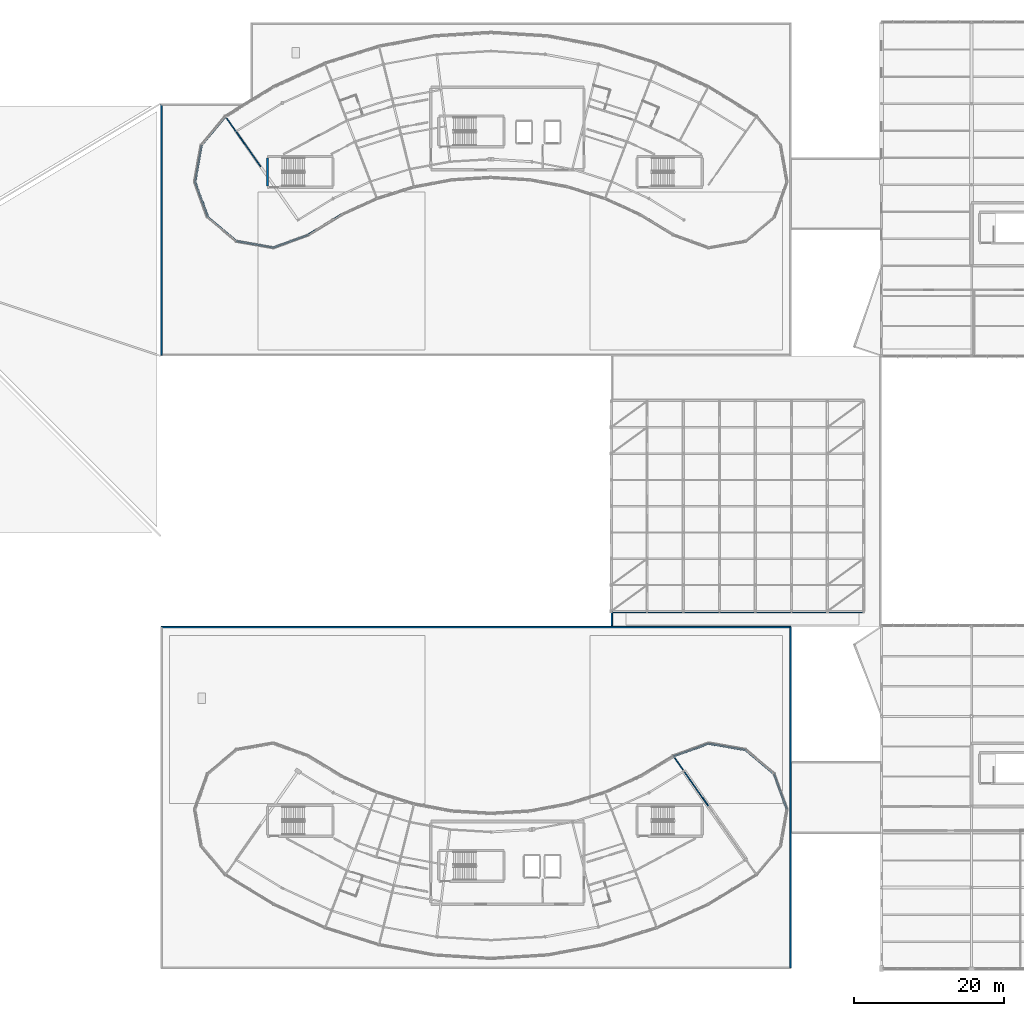
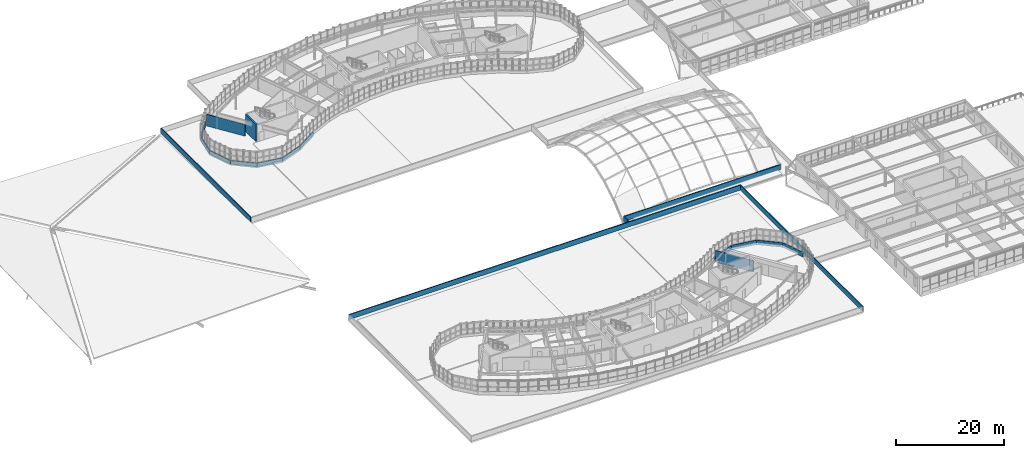
# One storey, part 104 of 128: 19 walls.
"""IFC4 building model written with IfcOpenShell, lengths in metres."""

from ifc_helpers import new_model, si_unit, direction, frame, frame_2d, origin, place, context, subcontext, project, spatial, rectangle, extrude, material, layer, layer_set, type_object, element, save


model = new_model("IFC4")

# Units and contexts
model_context = context("Model", 3, precision=1e-05, world=origin(), true_north=direction((0.0, 1.0)))
body_context = subcontext(model_context, "Body", "Model", "MODEL_VIEW")
ifc_project = project(units=[si_unit("LENGTHUNIT", "METRE"), si_unit("AREAUNIT", "SQUARE_METRE"), si_unit("VOLUMEUNIT", "CUBIC_METRE"), si_unit("PLANEANGLEUNIT", "RADIAN"), si_unit("MASSUNIT", "GRAM", prefix="KILO")], contexts=[model_context])

# Site, building, storey
site_placement = place(None, origin())
site = spatial("IfcSite", under=ifc_project, at=site_placement, CompositionType="ELEMENT")
building_placement = place(site_placement, origin())
building = spatial("IfcBuilding", under=site, at=building_placement, Name="Tarnwether General Hospital", CompositionType="ELEMENT")
storey_placement = place(building_placement, frame((0.0, 0.0, 14.39990234375)))
storey = spatial("IfcBuildingStorey", under=building, at=storey_placement, Name="L03", CompositionType="ELEMENT", Elevation=14.39990234375)

# Walls
ifc_material_1 = material(Name="Streamlined white enamelled aluminium", Category="aluminium")
ifc_layer_1 = layer(ifc_material_1, 0.219970703125)
ifc_layer_set_1 = layer_set([ifc_layer_1], Name="Streamlined white enamelled aluminium")
wall_type_1 = type_object("IfcWallType", Name="WL-EX220", PredefinedType="STANDARD", material=ifc_layer_set_1)
wall_1_placement = place(storey_placement, frame((52.611083984375, 104.759033203125, 0.0), z_axis=(0.0, 0.0, 1.0), x_axis=(0.173426579259, 0.984846801085, 0.0)))
element("IfcWall", 1, at=wall_1_placement, inside=storey, type_object=wall_type_1, Name="Ward NW Streamlined White Spandrel EW-L03-0001", PredefinedType="STANDARD", context=body_context, shape_type="SweptSolid", body=[
    extrude(rectangle(XDim=4.96923828125, YDim=0.219970703125, at=frame_2d((2.484619140625, 0.0))), origin(), (0.0, 0.0, 1.0), 1.050048828125),
])
wall_2_placement = place(storey_placement, frame((54.31005859375, 100.090087890625, 0.0), z_axis=(0.0, 0.0, 1.0), x_axis=(-0.341952160632, 0.939717361678, 0.0)))
element("IfcWall", 2, at=wall_2_placement, inside=storey, type_object=wall_type_1, Name="Ward NW Streamlined White Spandrel EW-L03-0002", PredefinedType="STANDARD", context=body_context, shape_type="SweptSolid", body=[
    extrude(rectangle(XDim=4.968505859375, YDim=0.219970703125, at=frame_2d((2.484375, 0.0))), origin(), (0.0, 0.0, 1.0), 1.050048828125),
])
wall_3_placement = place(storey_placement, frame((58.116943359375, 96.89501953125, 0.0), z_axis=(0.0, 0.0, 1.0), x_axis=(-0.765973821879, 0.642871763415, 0.0)))
element("IfcWall", 3, at=wall_3_placement, inside=storey, type_object=wall_type_1, Name="Ward NW Streamlined White Spandrel EW-L03-0003", PredefinedType="STANDARD", context=body_context, shape_type="SweptSolid", body=[
    extrude(rectangle(XDim=4.969970703125, YDim=0.219970703125, at=frame_2d((2.48486328125, 0.0))), origin(), (0.0, 0.0, 1.0), 1.050048828125),
])
wall_4_placement = place(storey_placement, frame((63.010986328125, 96.031982421875, 0.0), z_axis=(0.0, 0.0, 1.0), x_axis=(-0.984804817938, 0.173664822479, 0.0)))
element("IfcWall", 4, at=wall_4_placement, inside=storey, type_object=wall_type_1, Name="Ward NW Streamlined White Spandrel EW-L03-0004", PredefinedType="STANDARD", context=body_context, shape_type="SweptSolid", body=[
    extrude(rectangle(XDim=4.969482421875, YDim=0.219970703125, at=frame_2d((2.48486328125, 0.0))), origin(), (0.0, 0.0, 1.0), 1.050048828125),
])
wall_5_placement = place(storey_placement, frame((67.679931640625, 97.73193359375, 0.0), z_axis=(0.0, 0.0, 1.0), x_axis=(-0.939654190044, -0.34212571247, 0.0)))
element("IfcWall", 5, at=wall_5_placement, inside=storey, type_object=wall_type_1, Name="Ward NW Streamlined White Spandrel EW-L03-0005", PredefinedType="STANDARD", context=body_context, shape_type="SweptSolid", body=[
    extrude(rectangle(XDim=4.96875, YDim=0.219970703125, at=frame_2d((2.484375, 0.0))), origin(), (0.0, 0.0, 1.0), 1.050048828125),
])
wall_6_placement = place(storey_placement, frame((72.093994140625, 100.43701171875, 0.0), z_axis=(0.0, 0.0, 1.0), x_axis=(-0.852628362135, -0.522517823698, 0.0)))
element("IfcWall", 6, at=wall_6_placement, inside=storey, type_object=wall_type_1, Name="Ward NW Streamlined White Spandrel EW-L03-0006", PredefinedType="STANDARD", context=body_context, shape_type="SweptSolid", body=[
    extrude(rectangle(XDim=5.177001953125, YDim=0.219970703125, at=frame_2d((2.58837890625, 0.0))), origin(), (0.0, 0.0, 1.0), 1.050048828125),
])
wall_7_placement = place(storey_placement, frame((53.472900390625, 109.653076171875, 0.0), z_axis=(0.0, 0.0, 1.0), x_axis=(0.642871763415, 0.765973821879, 0.0)))
element("IfcWall", 7, at=wall_7_placement, inside=storey, type_object=wall_type_1, Name="Ward NW Streamlined White Spandrel EW-L03-0032", PredefinedType="STANDARD", context=body_context, shape_type="SweptSolid", body=[
    extrude(rectangle(XDim=4.969970703125, YDim=0.219970703125, at=frame_2d((2.48486328125, 0.0))), origin(), (0.0, 0.0, 1.0), 1.050048828125),
])
wall_8_placement = place(storey_placement, frame((129.68994140625, 25.909912109375, 0.0), z_axis=(0.0, 0.0, 1.0), x_axis=(0.341952160632, -0.939717361678, 0.0)))
element("IfcWall", 8, at=wall_8_placement, inside=storey, type_object=wall_type_1, Name="Ward SE Streamlined White Spandrel EW-L03-0167", PredefinedType="STANDARD", context=body_context, shape_type="SweptSolid", body=[
    extrude(rectangle(XDim=4.968505859375, YDim=0.219970703125, at=frame_2d((2.484375, 0.0))), origin(), (0.0, 0.0, 1.0), 1.050048828125),
])
wall_9_placement = place(storey_placement, frame((125.883056640625, 29.10498046875, 0.0), z_axis=(0.0, 0.0, 1.0), x_axis=(0.765973821879, -0.642871763415, 0.0)))
element("IfcWall", 9, at=wall_9_placement, inside=storey, type_object=wall_type_1, Name="Ward SE Streamlined White Spandrel EW-L03-0168", PredefinedType="STANDARD", context=body_context, shape_type="SweptSolid", body=[
    extrude(rectangle(XDim=4.969970703125, YDim=0.219970703125, at=frame_2d((2.48486328125, 0.0))), origin(), (0.0, 0.0, 1.0), 1.050048828125),
])
wall_10_placement = place(storey_placement, frame((120.989013671875, 29.968017578125, 0.0), z_axis=(0.0, 0.0, 1.0), x_axis=(0.984804817938, -0.173664822479, 0.0)))
element("IfcWall", 10, at=wall_10_placement, inside=storey, type_object=wall_type_1, Name="Ward SE Streamlined White Spandrel EW-L03-0169", PredefinedType="STANDARD", context=body_context, shape_type="SweptSolid", body=[
    extrude(rectangle(XDim=4.969482421875, YDim=0.219970703125, at=frame_2d((2.48486328125, 0.0))), origin(), (0.0, 0.0, 1.0), 1.050048828125),
])
wall_11_placement = place(storey_placement, frame((116.320068359375, 28.26806640625, 0.0), z_axis=(0.0, 0.0, 1.0), x_axis=(0.939654190044, 0.34212571247, 0.0)))
element("IfcWall", 11, at=wall_11_placement, inside=storey, type_object=wall_type_1, Name="Ward SE Streamlined White Spandrel EW-L03-0170", PredefinedType="STANDARD", context=body_context, shape_type="SweptSolid", body=[
    extrude(rectangle(XDim=4.96875, YDim=0.219970703125, at=frame_2d((2.484375, 0.0))), origin(), (0.0, 0.0, 1.0), 1.050048828125),
])
ifc_material_2 = material(Name="Precast concrete 40 MPa", Category="concrete")
ifc_layer_2 = layer(ifc_material_2, 0.199951171875)
ifc_layer_set_2 = layer_set([ifc_layer_2], Name="Precast concrete 40 MPa")
wall_type_2 = type_object("IfcWallType", Name="WL-PR200", PredefinedType="PARAPET", material=ifc_layer_set_2)
wall_12_placement = place(storey_placement, frame((48.10009765625, 81.699951171875, 0.330078125), z_axis=(0.0, 0.0, 1.0), x_axis=(0.0, 1.0, 0.0)))
element("IfcWall", 12, at=wall_12_placement, inside=storey, type_object=wall_type_2, Name="Flat Roof Parapet EW-L03-0353", PredefinedType="PARAPET", context=body_context, shape_type="SweptSolid", body=[
    extrude(rectangle(XDim=33.400146484375, YDim=0.199951171875, at=frame_2d((16.7001953125, 0.0))), origin(), (0.0, 0.0, 1.0), 1.1201171875),
])
wall_13_placement = place(storey_placement, frame((48.10009765625, 45.5, 0.330078125), z_axis=(0.0, 0.0, 1.0), x_axis=(1.0, 0.0, 0.0)))
element("IfcWall", 13, at=wall_13_placement, inside=storey, type_object=wall_type_2, Name="Flat Roof Parapet EW-L03-0356", PredefinedType="PARAPET", context=body_context, shape_type="SweptSolid", body=[
    extrude(rectangle(XDim=83.7998046875, YDim=0.199951171875, at=frame_2d((41.89990234375, 0.0))), origin(), (0.0, 0.0, 1.0), 1.1201171875),
])
wall_14_placement = place(storey_placement, frame((131.89990234375, 45.5, 0.330078125), z_axis=(0.0, 0.0, 1.0), x_axis=(0.0, -1.0, 0.0)))
element("IfcWall", 14, at=wall_14_placement, inside=storey, type_object=wall_type_2, Name="Flat Roof Parapet EW-L03-0357", PredefinedType="PARAPET", context=body_context, shape_type="SweptSolid", body=[
    extrude(rectangle(XDim=45.39990234375, YDim=0.199951171875, at=frame_2d((22.699951171875, 0.0))), origin(), (0.0, 0.0, 1.0), 1.1201171875),
])
wall_15_placement = place(storey_placement, frame((108.10009765625, 45.699951171875, 0.330078125), z_axis=(0.0, 0.0, 1.0), x_axis=(0.0, 1.0, 0.0)))
element("IfcWall", 15, at=wall_15_placement, inside=storey, type_object=wall_type_2, Name="Flat Roof Parapet EW-L03-0364", PredefinedType="PARAPET", context=body_context, shape_type="SweptSolid", body=[
    extrude(rectangle(XDim=1.800048828125, YDim=0.199951171875, at=frame_2d((0.89990234375, 0.0))), origin(), (0.0, 0.0, 1.0), 1.1201171875),
])
wall_16_placement = place(storey_placement, frame((108.10009765625, 47.5, 0.330078125), z_axis=(0.0, 0.0, 1.0), x_axis=(1.0, 0.0, 0.0)))
element("IfcWall", 16, at=wall_16_placement, inside=storey, type_object=wall_type_2, Name="Flat Roof Parapet EW-L03-0365", PredefinedType="PARAPET", context=body_context, shape_type="SweptSolid", body=[
    extrude(rectangle(XDim=33.5, YDim=0.199951171875, at=frame_2d((16.75, 0.0))), origin(), (0.0, 0.0, 1.0), 1.1201171875),
])
ifc_material_3 = material(Name="Gypsum plasterboard")
ifc_layer_3 = layer(ifc_material_3, 0.139892578125)
ifc_layer_set_3 = layer_set([ifc_layer_3], Name="Gypsum plasterboard")
wall_type_3 = type_object("IfcWallType", Name="WL-PT140", PredefinedType="PARTITIONING", material=ifc_layer_set_3)
wall_17_placement = place(storey_placement, frame((61.31396484375, 106.824951171875, 0.0), z_axis=(0.0, 0.0, 1.0), x_axis=(-0.573682336084, 0.819077882295, 0.0)))
element("IfcWall", 17, at=wall_17_placement, inside=storey, type_object=wall_type_3, Name="Interior Partition PT-L03-0327", PredefinedType="PARTITIONING", context=body_context, shape_type="SweptSolid", body=[
    extrude(rectangle(XDim=7.81982421875, YDim=0.139892578125, at=frame_2d((3.909912109375, 0.0))), origin(), (0.0, 0.0, 1.0), 2.64501953125),
])
wall_18_placement = place(storey_placement, frame((120.966064453125, 21.633056640625, 0.0), z_axis=(0.0, 0.0, 1.0), x_axis=(-0.573623659169, 0.819118976487, 0.0)))
element("IfcWall", 18, at=wall_18_placement, inside=storey, type_object=wall_type_3, Name="Interior Partition PT-L03-0351", PredefinedType="PARTITIONING", context=body_context, shape_type="SweptSolid", body=[
    extrude(rectangle(XDim=7.820556640625, YDim=0.139892578125, at=frame_2d((3.91015625, 0.0))), origin(), (0.0, 0.0, 1.0), 2.59521484375),
])
ifc_material_4 = material(Name="Concrete 50 MPa", Category="concrete")
ifc_layer_4 = layer(ifc_material_4, 0.300048828125)
ifc_layer_set_4 = layer_set([ifc_layer_4], Name="Concrete 50 MPa")
wall_type_4 = type_object("IfcWallType", Name="WL-SW300", PredefinedType="SHEAR", material=ifc_layer_set_4)
wall_19_placement = place(storey_placement, frame((62.25, 104.219970703125, 0.0), z_axis=(0.0, 0.0, 1.0), x_axis=(0.0, 1.0, 0.0)))
element("IfcWall", 19, at=wall_19_placement, inside=storey, type_object=wall_type_4, Name="Stairwell Shear Wall STW-ST-07-L03-L", PredefinedType="SHEAR", context=body_context, shape_type="SweptSolid", body=[
    extrude(rectangle(XDim=3.760009765625, YDim=0.300048828125, at=frame_2d((1.8798828125, 0.0))), origin(), (0.0, 0.0, 1.0), 3.900146484375),
])

save(model, "model.ifc")
